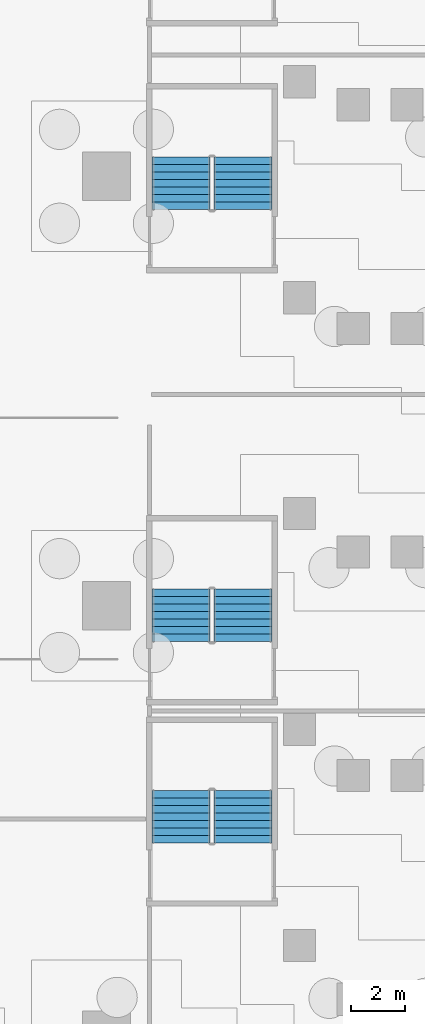
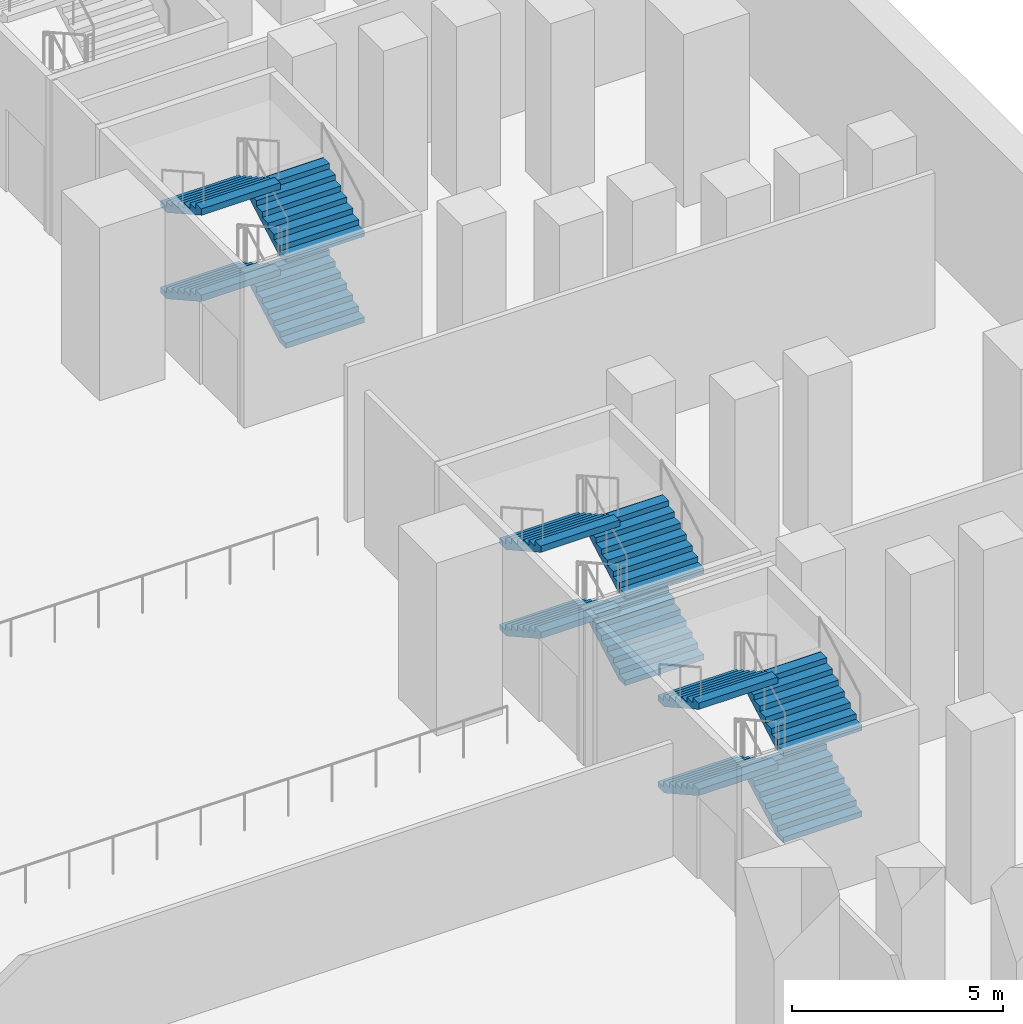
# One storey, part 16 of 27: 12 stair flights, 3 elements without a shape of their own.
"""IFC4 building model written with IfcOpenShell, lengths in metres."""

from ifc_helpers import new_model, si_unit, direction, frame, origin, place, context, subcontext, project, spatial, faceted_brep, source, transform, mapped, material, type_object, element, aggregate, save


model = new_model("IFC4")

# Units and contexts
model_context = context("Model", 3, precision=1e-05, world=origin(), true_north=direction((0.0, 1.0)))
body_context = subcontext(model_context, "Body", "Model", "MODEL_VIEW")
ifc_project = project(units=[si_unit("LENGTHUNIT", "METRE"), si_unit("AREAUNIT", "SQUARE_METRE"), si_unit("VOLUMEUNIT", "CUBIC_METRE"), si_unit("PLANEANGLEUNIT", "RADIAN"), si_unit("MASSUNIT", "GRAM", prefix="KILO")], contexts=[model_context])

# Site, building, storey
site_placement = place(None, origin())
site = spatial("IfcSite", under=ifc_project, at=site_placement, CompositionType="ELEMENT")
building_placement = place(site_placement, origin())
building = spatial("IfcBuilding", under=site, at=building_placement, Name="Calabash Gate Tower", CompositionType="ELEMENT")
storey_placement = place(building_placement, frame((0.0, 0.0, -10.0)))
storey = spatial("IfcBuildingStorey", under=building, at=storey_placement, Name="B2", CompositionType="ELEMENT", Elevation=-10.0)

# Stair, stair flights
ifc_material_1 = material(Name="Concrete C40/50", Category="concrete")
stair_type = type_object("IfcStairType", Name="Public stair 32 risers of 156.2 mm", PredefinedType="HALF_TURN_STAIR", material=ifc_material_1)
stair_1_placement = place(storey_placement, origin())
stair_1 = element("IfcStair", 1, at=stair_1_placement, inside=storey, type_object=stair_type, Name="B2 Public Stair PS6", PredefinedType="HALF_TURN_STAIR")
ifc_material_2 = material(Name="Concrete C40/50", Category="concrete")
stair_flight_type = type_object("IfcStairFlightType", Name="Exit stair flight SFL", PredefinedType="STRAIGHT", material=ifc_material_2)
shared_shape = source(origin(), body_context, "Body", "Brep", [
    faceted_brep([(-0.0009765625, -1.080078125, 0.0), (0.306884765625, -1.080078125, 0.0), (1.9541015625, -1.080078125, 0.921875), (-0.0009765625, 1.080078125, 0.0), (1.9541015625, 1.080078125, 0.921875), (0.306884765625, 1.080078125, 0.0), (1.9541015625, -1.080078125, 1.105712890625), (1.952880859375, -1.080078125, 1.105712890625), (1.952880859375, 1.080078125, 1.105712890625), (1.9541015625, 1.080078125, 1.105712890625), (1.952880859375, -1.080078125, 1.09375), (1.952880859375, 1.080078125, 1.09375), (1.674072265625, -1.080078125, 1.09375), (1.674072265625, 1.080078125, 1.09375), (1.674072265625, -1.080078125, 0.9375), (1.674072265625, 1.080078125, 0.9375), (1.39501953125, -1.080078125, 0.9375), (1.39501953125, 1.080078125, 0.9375), (1.39501953125, -1.080078125, 0.78125), (1.39501953125, 1.080078125, 0.78125), (1.115966796875, -1.080078125, 0.78125), (1.115966796875, -1.080078125, 0.625), (1.115966796875, 1.080078125, 0.625), (1.115966796875, 1.080078125, 0.78125), (0.8369140625, -1.080078125, 0.625), (0.8369140625, -1.080078125, 0.46875), (0.8369140625, 1.080078125, 0.46875), (0.8369140625, 1.080078125, 0.625), (0.55810546875, -1.080078125, 0.46875), (0.55810546875, -1.080078125, 0.3125), (0.55810546875, 1.080078125, 0.3125), (0.55810546875, 1.080078125, 0.46875), (0.279052734375, -1.080078125, 0.3125), (0.279052734375, -1.080078125, 0.15625), (0.279052734375, 1.080078125, 0.15625), (0.279052734375, 1.080078125, 0.3125), (-0.0009765625, -1.080078125, 0.15625), (-0.0009765625, 1.080078125, 0.15625), (0.306884765625, -0.431884765625, 0.0), (1.9541015625, -0.431884765625, 0.921875), (0.306884765625, -0.370361328125, 0.0), (1.9541015625, -0.370361328125, 0.921875), (0.306884765625, -0.30859375, 0.0), (1.9541015625, -0.30859375, 0.921875), (0.306884765625, -0.246826171875, 0.0), (1.9541015625, -0.246826171875, 0.921875), (0.306884765625, -0.18505859375, 0.0), (1.9541015625, -0.18505859375, 0.921875), (0.306884765625, -0.12353515625, 0.0), (1.9541015625, -0.12353515625, 0.921875), (0.306884765625, -0.061767578125, 0.0), (1.9541015625, -0.061767578125, 0.921875), (0.306884765625, 0.0, 0.0), (1.9541015625, 0.0, 0.921875), (0.306884765625, 0.061767578125, 0.0), (1.9541015625, 0.061767578125, 0.921875), (0.306884765625, 0.12353515625, 0.0), (1.9541015625, 0.12353515625, 0.921875), (0.306884765625, 0.18505859375, 0.0), (1.9541015625, 0.18505859375, 0.921875), (0.306884765625, 0.246826171875, 0.0), (1.9541015625, 0.246826171875, 0.921875), (0.306884765625, 0.30859375, 0.0), (1.9541015625, 0.30859375, 0.921875), (0.306884765625, 0.370361328125, 0.0), (1.9541015625, 0.370361328125, 0.921875), (0.306884765625, 0.431884765625, 0.0), (1.9541015625, 0.431884765625, 0.921875), (1.9541015625, -0.431884765625, 1.105712890625), (1.9541015625, -0.370361328125, 1.105712890625), (1.9541015625, -0.30859375, 1.105712890625), (1.9541015625, -0.246826171875, 1.105712890625), (1.9541015625, -0.18505859375, 1.105712890625), (1.9541015625, -0.12353515625, 1.105712890625), (1.9541015625, -0.061767578125, 1.105712890625), (1.9541015625, 0.0, 1.105712890625), (1.9541015625, 0.061767578125, 1.105712890625), (1.9541015625, 0.12353515625, 1.105712890625), (1.9541015625, 0.18505859375, 1.105712890625), (1.9541015625, 0.246826171875, 1.105712890625), (1.9541015625, 0.30859375, 1.105712890625), (1.9541015625, 0.370361328125, 1.105712890625), (1.9541015625, 0.431884765625, 1.105712890625), (1.952880859375, -0.431884765625, 1.105712890625), (1.952880859375, -0.370361328125, 1.105712890625), (1.952880859375, -0.30859375, 1.105712890625), (1.952880859375, -0.246826171875, 1.105712890625), (1.952880859375, -0.18505859375, 1.105712890625), (1.952880859375, -0.12353515625, 1.105712890625), (1.952880859375, -0.061767578125, 1.105712890625), (1.952880859375, 0.0, 1.105712890625), (1.952880859375, 0.061767578125, 1.105712890625), (1.952880859375, 0.12353515625, 1.105712890625), (1.952880859375, 0.18505859375, 1.105712890625), (1.952880859375, 0.246826171875, 1.105712890625), (1.952880859375, 0.30859375, 1.105712890625), (1.952880859375, 0.370361328125, 1.105712890625), (1.952880859375, 0.431884765625, 1.105712890625), (1.952880859375, -0.431884765625, 1.09375), (1.952880859375, -0.370361328125, 1.09375), (1.952880859375, -0.30859375, 1.09375), (1.952880859375, -0.246826171875, 1.09375), (1.952880859375, -0.18505859375, 1.09375), (1.952880859375, -0.12353515625, 1.09375), (1.952880859375, -0.061767578125, 1.09375), (1.952880859375, 0.0, 1.09375), (1.952880859375, 0.061767578125, 1.09375), (1.952880859375, 0.12353515625, 1.09375), (1.952880859375, 0.18505859375, 1.09375), (1.952880859375, 0.246826171875, 1.09375), (1.952880859375, 0.30859375, 1.09375), (1.952880859375, 0.370361328125, 1.09375), (1.952880859375, 0.431884765625, 1.09375), (1.674072265625, -0.431884765625, 1.09375), (1.674072265625, -0.370361328125, 1.09375), (1.674072265625, -0.30859375, 1.09375), (1.674072265625, -0.246826171875, 1.09375), (1.674072265625, -0.18505859375, 1.09375), (1.674072265625, -0.12353515625, 1.09375), (1.674072265625, -0.061767578125, 1.09375), (1.674072265625, 0.0, 1.09375), (1.674072265625, 0.061767578125, 1.09375), (1.674072265625, 0.12353515625, 1.09375), (1.674072265625, 0.18505859375, 1.09375), (1.674072265625, 0.246826171875, 1.09375), (1.674072265625, 0.30859375, 1.09375), (1.674072265625, 0.370361328125, 1.09375), (1.674072265625, 0.431884765625, 1.09375), (1.674072265625, -0.431884765625, 0.9375), (1.674072265625, -0.370361328125, 0.9375), (1.674072265625, -0.30859375, 0.9375), (1.674072265625, -0.246826171875, 0.9375), (1.674072265625, -0.18505859375, 0.9375), (1.674072265625, -0.12353515625, 0.9375), (1.674072265625, -0.061767578125, 0.9375), (1.674072265625, 0.0, 0.9375), (1.674072265625, 0.061767578125, 0.9375), (1.674072265625, 0.12353515625, 0.9375), (1.674072265625, 0.18505859375, 0.9375), (1.674072265625, 0.246826171875, 0.9375), (1.674072265625, 0.30859375, 0.9375), (1.674072265625, 0.370361328125, 0.9375), (1.674072265625, 0.431884765625, 0.9375), (1.39501953125, -0.431884765625, 0.9375), (1.39501953125, -0.370361328125, 0.9375), (1.39501953125, -0.30859375, 0.9375), (1.39501953125, -0.246826171875, 0.9375), (1.39501953125, -0.18505859375, 0.9375), (1.39501953125, -0.12353515625, 0.9375), (1.39501953125, -0.061767578125, 0.9375), (1.39501953125, 0.0, 0.9375), (1.39501953125, 0.061767578125, 0.9375), (1.39501953125, 0.12353515625, 0.9375), (1.39501953125, 0.18505859375, 0.9375), (1.39501953125, 0.246826171875, 0.9375), (1.39501953125, 0.30859375, 0.9375), (1.39501953125, 0.370361328125, 0.9375), (1.39501953125, 0.431884765625, 0.9375), (1.39501953125, -0.431884765625, 0.78125), (1.39501953125, -0.370361328125, 0.78125), (1.39501953125, -0.30859375, 0.78125), (1.39501953125, -0.246826171875, 0.78125), (1.39501953125, -0.18505859375, 0.78125), (1.39501953125, -0.12353515625, 0.78125), (1.39501953125, -0.061767578125, 0.78125), (1.39501953125, 0.0, 0.78125), (1.39501953125, 0.061767578125, 0.78125), (1.39501953125, 0.12353515625, 0.78125), (1.39501953125, 0.18505859375, 0.78125), (1.39501953125, 0.246826171875, 0.78125), (1.39501953125, 0.30859375, 0.78125), (1.39501953125, 0.370361328125, 0.78125), (1.39501953125, 0.431884765625, 0.78125), (1.115966796875, -0.431884765625, 0.78125), (1.115966796875, -0.370361328125, 0.78125), (1.115966796875, -0.30859375, 0.78125), (1.115966796875, -0.246826171875, 0.78125), (1.115966796875, -0.18505859375, 0.78125), (1.115966796875, -0.12353515625, 0.78125), (1.115966796875, -0.061767578125, 0.78125), (1.115966796875, 0.0, 0.78125), (1.115966796875, 0.061767578125, 0.78125), (1.115966796875, 0.12353515625, 0.78125), (1.115966796875, 0.18505859375, 0.78125), (1.115966796875, 0.246826171875, 0.78125), (1.115966796875, 0.30859375, 0.78125), (1.115966796875, 0.370361328125, 0.78125), (1.115966796875, 0.431884765625, 0.78125), (1.115966796875, -0.431884765625, 0.625), (1.115966796875, -0.370361328125, 0.625), (1.115966796875, -0.30859375, 0.625), (1.115966796875, -0.246826171875, 0.625), (1.115966796875, -0.18505859375, 0.625), (1.115966796875, -0.12353515625, 0.625), (1.115966796875, -0.061767578125, 0.625), (1.115966796875, 0.0, 0.625), (1.115966796875, 0.061767578125, 0.625), (1.115966796875, 0.12353515625, 0.625), (1.115966796875, 0.18505859375, 0.625), (1.115966796875, 0.246826171875, 0.625), (1.115966796875, 0.30859375, 0.625), (1.115966796875, 0.370361328125, 0.625), (1.115966796875, 0.431884765625, 0.625), (0.8369140625, -0.431884765625, 0.625), (0.8369140625, -0.370361328125, 0.625), (0.8369140625, -0.30859375, 0.625), (0.8369140625, -0.246826171875, 0.625), (0.8369140625, -0.18505859375, 0.625), (0.8369140625, -0.12353515625, 0.625), (0.8369140625, -0.061767578125, 0.625), (0.8369140625, 0.0, 0.625), (0.8369140625, 0.061767578125, 0.625), (0.8369140625, 0.12353515625, 0.625), (0.8369140625, 0.18505859375, 0.625), (0.8369140625, 0.246826171875, 0.625), (0.8369140625, 0.30859375, 0.625), (0.8369140625, 0.370361328125, 0.625), (0.8369140625, 0.431884765625, 0.625), (0.8369140625, -0.431884765625, 0.46875), (0.8369140625, -0.370361328125, 0.46875), (0.8369140625, -0.30859375, 0.46875), (0.8369140625, -0.246826171875, 0.46875), (0.8369140625, -0.18505859375, 0.46875), (0.8369140625, -0.12353515625, 0.46875), (0.8369140625, -0.061767578125, 0.46875), (0.8369140625, 0.0, 0.46875), (0.8369140625, 0.061767578125, 0.46875), (0.8369140625, 0.12353515625, 0.46875), (0.8369140625, 0.18505859375, 0.46875), (0.8369140625, 0.246826171875, 0.46875), (0.8369140625, 0.30859375, 0.46875), (0.8369140625, 0.370361328125, 0.46875), (0.8369140625, 0.431884765625, 0.46875), (0.55810546875, -0.431884765625, 0.46875), (0.55810546875, -0.370361328125, 0.46875), (0.55810546875, -0.30859375, 0.46875), (0.55810546875, -0.246826171875, 0.46875), (0.55810546875, -0.18505859375, 0.46875), (0.55810546875, -0.12353515625, 0.46875), (0.55810546875, -0.061767578125, 0.46875), (0.55810546875, 0.0, 0.46875), (0.55810546875, 0.061767578125, 0.46875), (0.55810546875, 0.12353515625, 0.46875), (0.55810546875, 0.18505859375, 0.46875), (0.55810546875, 0.246826171875, 0.46875), (0.55810546875, 0.30859375, 0.46875), (0.55810546875, 0.370361328125, 0.46875), (0.55810546875, 0.431884765625, 0.46875), (0.55810546875, -0.431884765625, 0.3125), (0.55810546875, -0.370361328125, 0.3125), (0.55810546875, -0.30859375, 0.3125), (0.55810546875, -0.246826171875, 0.3125), (0.55810546875, -0.18505859375, 0.3125), (0.55810546875, -0.12353515625, 0.3125), (0.55810546875, -0.061767578125, 0.3125), (0.55810546875, 0.0, 0.3125), (0.55810546875, 0.061767578125, 0.3125), (0.55810546875, 0.12353515625, 0.3125), (0.55810546875, 0.18505859375, 0.3125), (0.55810546875, 0.246826171875, 0.3125), (0.55810546875, 0.30859375, 0.3125), (0.55810546875, 0.370361328125, 0.3125), (0.55810546875, 0.431884765625, 0.3125), (0.279052734375, -0.431884765625, 0.3125), (0.279052734375, -0.370361328125, 0.3125), (0.279052734375, -0.30859375, 0.3125), (0.279052734375, -0.246826171875, 0.3125), (0.279052734375, -0.18505859375, 0.3125), (0.279052734375, -0.12353515625, 0.3125), (0.279052734375, -0.061767578125, 0.3125), (0.279052734375, 0.0, 0.3125), (0.279052734375, 0.061767578125, 0.3125), (0.279052734375, 0.12353515625, 0.3125), (0.279052734375, 0.18505859375, 0.3125), (0.279052734375, 0.246826171875, 0.3125), (0.279052734375, 0.30859375, 0.3125), (0.279052734375, 0.370361328125, 0.3125), (0.279052734375, 0.431884765625, 0.3125), (0.279052734375, -0.431884765625, 0.15625), (0.279052734375, -0.370361328125, 0.15625), (0.279052734375, -0.30859375, 0.15625), (0.279052734375, -0.246826171875, 0.15625), (0.279052734375, -0.18505859375, 0.15625), (0.279052734375, -0.12353515625, 0.15625), (0.279052734375, -0.061767578125, 0.15625), (0.279052734375, 0.0, 0.15625), (0.279052734375, 0.061767578125, 0.15625), (0.279052734375, 0.12353515625, 0.15625), (0.279052734375, 0.18505859375, 0.15625), (0.279052734375, 0.246826171875, 0.15625), (0.279052734375, 0.30859375, 0.15625), (0.279052734375, 0.370361328125, 0.15625), (0.279052734375, 0.431884765625, 0.15625), (-0.0009765625, -0.431884765625, 0.15625), (-0.0009765625, -0.370361328125, 0.15625), (-0.0009765625, -0.30859375, 0.15625), (-0.0009765625, -0.246826171875, 0.15625), (-0.0009765625, -0.18505859375, 0.15625), (-0.0009765625, -0.12353515625, 0.15625), (-0.0009765625, -0.061767578125, 0.15625), (-0.0009765625, 0.0, 0.15625), (-0.0009765625, 0.061767578125, 0.15625), (-0.0009765625, 0.12353515625, 0.15625), (-0.0009765625, 0.18505859375, 0.15625), (-0.0009765625, 0.246826171875, 0.15625), (-0.0009765625, 0.30859375, 0.15625), (-0.0009765625, 0.370361328125, 0.15625), (-0.0009765625, 0.431884765625, 0.15625), (-0.0009765625, -0.431884765625, 0.0), (-0.0009765625, -0.370361328125, 0.0), (-0.0009765625, -0.30859375, 0.0), (-0.0009765625, -0.246826171875, 0.0), (-0.0009765625, -0.18505859375, 0.0), (-0.0009765625, -0.12353515625, 0.0), (-0.0009765625, -0.061767578125, 0.0), (-0.0009765625, 0.0, 0.0), (-0.0009765625, 0.061767578125, 0.0), (-0.0009765625, 0.12353515625, 0.0), (-0.0009765625, 0.18505859375, 0.0), (-0.0009765625, 0.246826171875, 0.0), (-0.0009765625, 0.30859375, 0.0), (-0.0009765625, 0.370361328125, 0.0), (-0.0009765625, 0.431884765625, 0.0)], [[[0, 1, 2]], [[3, 4, 5]], [[2, 6, 7]], [[4, 8, 9]], [[2, 7, 10]], [[4, 11, 8]], [[2, 10, 12]], [[4, 13, 11]], [[2, 12, 14]], [[4, 15, 13]], [[2, 14, 16]], [[4, 17, 15]], [[2, 16, 18]], [[4, 19, 17]], [[18, 20, 21]], [[19, 22, 23]], [[2, 18, 21]], [[4, 22, 19]], [[21, 24, 25]], [[22, 26, 27]], [[2, 21, 25]], [[4, 26, 22]], [[25, 28, 29]], [[26, 30, 31]], [[2, 25, 29]], [[4, 30, 26]], [[29, 32, 33]], [[30, 34, 35]], [[2, 29, 33]], [[4, 34, 30]], [[0, 2, 33]], [[3, 34, 4]], [[33, 36, 0]], [[34, 3, 37]], [[1, 38, 2]], [[38, 39, 2]], [[38, 40, 39]], [[40, 41, 39]], [[40, 42, 41]], [[42, 43, 41]], [[42, 44, 43]], [[44, 45, 43]], [[44, 46, 45]], [[46, 47, 45]], [[46, 48, 47]], [[48, 49, 47]], [[48, 50, 49]], [[50, 51, 49]], [[50, 52, 51]], [[52, 53, 51]], [[52, 54, 55]], [[52, 55, 53]], [[54, 56, 57]], [[54, 57, 55]], [[56, 58, 59]], [[56, 59, 57]], [[58, 60, 61]], [[58, 61, 59]], [[60, 62, 63]], [[60, 63, 61]], [[62, 64, 65]], [[62, 65, 63]], [[64, 66, 67]], [[64, 67, 65]], [[66, 5, 4]], [[66, 4, 67]], [[2, 39, 6]], [[39, 68, 6]], [[39, 41, 68]], [[41, 69, 68]], [[41, 43, 69]], [[43, 70, 69]], [[43, 45, 70]], [[45, 71, 70]], [[45, 47, 71]], [[47, 72, 71]], [[47, 49, 72]], [[49, 73, 72]], [[49, 51, 73]], [[51, 74, 73]], [[51, 53, 74]], [[53, 75, 74]], [[53, 55, 76]], [[53, 76, 75]], [[55, 57, 77]], [[55, 77, 76]], [[57, 59, 78]], [[57, 78, 77]], [[59, 61, 79]], [[59, 79, 78]], [[61, 63, 80]], [[61, 80, 79]], [[63, 65, 81]], [[63, 81, 80]], [[65, 67, 82]], [[65, 82, 81]], [[67, 4, 9]], [[67, 9, 82]], [[6, 68, 7]], [[68, 83, 7]], [[68, 69, 83]], [[69, 84, 83]], [[69, 70, 84]], [[70, 85, 84]], [[70, 71, 85]], [[71, 86, 85]], [[71, 72, 86]], [[72, 87, 86]], [[72, 73, 87]], [[73, 88, 87]], [[73, 74, 88]], [[74, 89, 88]], [[74, 75, 89]], [[75, 90, 89]], [[75, 76, 91]], [[75, 91, 90]], [[76, 77, 92]], [[76, 92, 91]], [[77, 78, 93]], [[77, 93, 92]], [[78, 79, 94]], [[78, 94, 93]], [[79, 80, 95]], [[79, 95, 94]], [[80, 81, 96]], [[80, 96, 95]], [[81, 82, 97]], [[81, 97, 96]], [[82, 9, 8]], [[82, 8, 97]], [[7, 83, 10]], [[83, 98, 10]], [[83, 84, 98]], [[84, 99, 98]], [[84, 85, 99]], [[85, 100, 99]], [[85, 86, 100]], [[86, 101, 100]], [[86, 87, 101]], [[87, 102, 101]], [[87, 88, 102]], [[88, 103, 102]], [[88, 89, 103]], [[89, 104, 103]], [[89, 90, 104]], [[90, 105, 104]], [[90, 91, 106]], [[90, 106, 105]], [[91, 92, 107]], [[91, 107, 106]], [[92, 93, 108]], [[92, 108, 107]], [[93, 94, 109]], [[93, 109, 108]], [[94, 95, 110]], [[94, 110, 109]], [[95, 96, 111]], [[95, 111, 110]], [[96, 97, 112]], [[96, 112, 111]], [[97, 8, 11]], [[97, 11, 112]], [[10, 98, 12]], [[98, 113, 12]], [[98, 99, 113]], [[99, 114, 113]], [[99, 100, 114]], [[100, 115, 114]], [[100, 101, 115]], [[101, 116, 115]], [[101, 102, 116]], [[102, 117, 116]], [[102, 103, 117]], [[103, 118, 117]], [[103, 104, 118]], [[104, 119, 118]], [[104, 105, 119]], [[105, 120, 119]], [[105, 106, 121]], [[105, 121, 120]], [[106, 107, 122]], [[106, 122, 121]], [[107, 108, 123]], [[107, 123, 122]], [[108, 109, 124]], [[108, 124, 123]], [[109, 110, 125]], [[109, 125, 124]], [[110, 111, 126]], [[110, 126, 125]], [[111, 112, 127]], [[111, 127, 126]], [[112, 11, 13]], [[112, 13, 127]], [[12, 113, 14]], [[113, 128, 14]], [[113, 114, 128]], [[114, 129, 128]], [[114, 115, 129]], [[115, 130, 129]], [[115, 116, 130]], [[116, 131, 130]], [[116, 117, 131]], [[117, 132, 131]], [[117, 118, 132]], [[118, 133, 132]], [[118, 119, 133]], [[119, 134, 133]], [[119, 120, 134]], [[120, 135, 134]], [[120, 121, 136]], [[120, 136, 135]], [[121, 122, 137]], [[121, 137, 136]], [[122, 123, 138]], [[122, 138, 137]], [[123, 124, 139]], [[123, 139, 138]], [[124, 125, 140]], [[124, 140, 139]], [[125, 126, 141]], [[125, 141, 140]], [[126, 127, 142]], [[126, 142, 141]], [[127, 13, 15]], [[127, 15, 142]], [[14, 128, 16]], [[128, 143, 16]], [[128, 129, 143]], [[129, 144, 143]], [[129, 130, 144]], [[130, 145, 144]], [[130, 131, 145]], [[131, 146, 145]], [[131, 132, 146]], [[132, 147, 146]], [[132, 133, 147]], [[133, 148, 147]], [[133, 134, 148]], [[134, 149, 148]], [[134, 135, 149]], [[135, 150, 149]], [[135, 136, 151]], [[135, 151, 150]], [[136, 137, 152]], [[136, 152, 151]], [[137, 138, 153]], [[137, 153, 152]], [[138, 139, 154]], [[138, 154, 153]], [[139, 140, 155]], [[139, 155, 154]], [[140, 141, 156]], [[140, 156, 155]], [[141, 142, 157]], [[141, 157, 156]], [[142, 15, 17]], [[142, 17, 157]], [[16, 143, 18]], [[143, 158, 18]], [[143, 144, 158]], [[144, 159, 158]], [[144, 145, 159]], [[145, 160, 159]], [[145, 146, 160]], [[146, 161, 160]], [[146, 147, 161]], [[147, 162, 161]], [[147, 148, 162]], [[148, 163, 162]], [[148, 149, 163]], [[149, 164, 163]], [[149, 150, 164]], [[150, 165, 164]], [[150, 151, 166]], [[150, 166, 165]], [[151, 152, 167]], [[151, 167, 166]], [[152, 153, 168]], [[152, 168, 167]], [[153, 154, 169]], [[153, 169, 168]], [[154, 155, 170]], [[154, 170, 169]], [[155, 156, 171]], [[155, 171, 170]], [[156, 157, 172]], [[156, 172, 171]], [[157, 17, 19]], [[157, 19, 172]], [[18, 158, 20]], [[158, 173, 20]], [[158, 159, 173]], [[159, 174, 173]], [[159, 160, 174]], [[160, 175, 174]], [[160, 161, 175]], [[161, 176, 175]], [[161, 162, 176]], [[162, 177, 176]], [[162, 163, 177]], [[163, 178, 177]], [[163, 164, 178]], [[164, 179, 178]], [[164, 165, 179]], [[165, 180, 179]], [[165, 166, 181]], [[165, 181, 180]], [[166, 167, 182]], [[166, 182, 181]], [[167, 168, 183]], [[167, 183, 182]], [[168, 169, 184]], [[168, 184, 183]], [[169, 170, 185]], [[169, 185, 184]], [[170, 171, 186]], [[170, 186, 185]], [[171, 172, 187]], [[171, 187, 186]], [[172, 19, 23]], [[172, 23, 187]], [[20, 173, 21]], [[173, 188, 21]], [[173, 174, 188]], [[174, 189, 188]], [[174, 175, 189]], [[175, 190, 189]], [[175, 176, 190]], [[176, 191, 190]], [[176, 177, 191]], [[177, 192, 191]], [[177, 178, 192]], [[178, 193, 192]], [[178, 179, 193]], [[179, 194, 193]], [[179, 180, 194]], [[180, 195, 194]], [[180, 181, 196]], [[180, 196, 195]], [[181, 182, 197]], [[181, 197, 196]], [[182, 183, 198]], [[182, 198, 197]], [[183, 184, 199]], [[183, 199, 198]], [[184, 185, 200]], [[184, 200, 199]], [[185, 186, 201]], [[185, 201, 200]], [[186, 187, 202]], [[186, 202, 201]], [[187, 23, 22]], [[187, 22, 202]], [[21, 188, 24]], [[188, 203, 24]], [[188, 189, 203]], [[189, 204, 203]], [[189, 190, 204]], [[190, 205, 204]], [[190, 191, 205]], [[191, 206, 205]], [[191, 192, 206]], [[192, 207, 206]], [[192, 193, 207]], [[193, 208, 207]], [[193, 194, 208]], [[194, 209, 208]], [[194, 195, 209]], [[195, 210, 209]], [[195, 196, 211]], [[195, 211, 210]], [[196, 197, 212]], [[196, 212, 211]], [[197, 198, 213]], [[197, 213, 212]], [[198, 199, 214]], [[198, 214, 213]], [[199, 200, 215]], [[199, 215, 214]], [[200, 201, 216]], [[200, 216, 215]], [[201, 202, 217]], [[201, 217, 216]], [[202, 22, 27]], [[202, 27, 217]], [[24, 203, 25]], [[203, 218, 25]], [[203, 204, 218]], [[204, 219, 218]], [[204, 205, 219]], [[205, 220, 219]], [[205, 206, 220]], [[206, 221, 220]], [[206, 207, 221]], [[207, 222, 221]], [[207, 208, 222]], [[208, 223, 222]], [[208, 209, 223]], [[209, 224, 223]], [[209, 210, 224]], [[210, 225, 224]], [[210, 211, 226]], [[210, 226, 225]], [[211, 212, 227]], [[211, 227, 226]], [[212, 213, 228]], [[212, 228, 227]], [[213, 214, 229]], [[213, 229, 228]], [[214, 215, 230]], [[214, 230, 229]], [[215, 216, 231]], [[215, 231, 230]], [[216, 217, 232]], [[216, 232, 231]], [[217, 27, 26]], [[217, 26, 232]], [[25, 218, 28]], [[218, 233, 28]], [[218, 219, 233]], [[219, 234, 233]], [[219, 220, 234]], [[220, 235, 234]], [[220, 221, 235]], [[221, 236, 235]], [[221, 222, 236]], [[222, 237, 236]], [[222, 223, 237]], [[223, 238, 237]], [[223, 224, 238]], [[224, 239, 238]], [[224, 225, 239]], [[225, 240, 239]], [[225, 226, 241]], [[225, 241, 240]], [[226, 227, 242]], [[226, 242, 241]], [[227, 228, 243]], [[227, 243, 242]], [[228, 229, 244]], [[228, 244, 243]], [[229, 230, 245]], [[229, 245, 244]], [[230, 231, 246]], [[230, 246, 245]], [[231, 232, 247]], [[231, 247, 246]], [[232, 26, 31]], [[232, 31, 247]], [[28, 233, 29]], [[233, 248, 29]], [[233, 234, 248]], [[234, 249, 248]], [[234, 235, 249]], [[235, 250, 249]], [[235, 236, 250]], [[236, 251, 250]], [[236, 237, 251]], [[237, 252, 251]], [[237, 238, 252]], [[238, 253, 252]], [[238, 239, 253]], [[239, 254, 253]], [[239, 240, 254]], [[240, 255, 254]], [[240, 241, 256]], [[240, 256, 255]], [[241, 242, 257]], [[241, 257, 256]], [[242, 243, 258]], [[242, 258, 257]], [[243, 244, 259]], [[243, 259, 258]], [[244, 245, 260]], [[244, 260, 259]], [[245, 246, 261]], [[245, 261, 260]], [[246, 247, 262]], [[246, 262, 261]], [[247, 31, 30]], [[247, 30, 262]], [[29, 248, 32]], [[248, 263, 32]], [[248, 249, 263]], [[249, 264, 263]], [[249, 250, 264]], [[250, 265, 264]], [[250, 251, 265]], [[251, 266, 265]], [[251, 252, 266]], [[252, 267, 266]], [[252, 253, 267]], [[253, 268, 267]], [[253, 254, 268]], [[254, 269, 268]], [[254, 255, 269]], [[255, 270, 269]], [[255, 256, 271]], [[255, 271, 270]], [[256, 257, 272]], [[256, 272, 271]], [[257, 258, 273]], [[257, 273, 272]], [[258, 259, 274]], [[258, 274, 273]], [[259, 260, 275]], [[259, 275, 274]], [[260, 261, 276]], [[260, 276, 275]], [[261, 262, 277]], [[261, 277, 276]], [[262, 30, 35]], [[262, 35, 277]], [[32, 263, 33]], [[263, 278, 33]], [[263, 264, 278]], [[264, 279, 278]], [[264, 265, 279]], [[265, 280, 279]], [[265, 266, 280]], [[266, 281, 280]], [[266, 267, 281]], [[267, 282, 281]], [[267, 268, 282]], [[268, 283, 282]], [[268, 269, 283]], [[269, 284, 283]], [[269, 270, 284]], [[270, 285, 284]], [[270, 271, 286]], [[270, 286, 285]], [[271, 272, 287]], [[271, 287, 286]], [[272, 273, 288]], [[272, 288, 287]], [[273, 274, 289]], [[273, 289, 288]], [[274, 275, 290]], [[274, 290, 289]], [[275, 276, 291]], [[275, 291, 290]], [[276, 277, 292]], [[276, 292, 291]], [[277, 35, 34]], [[277, 34, 292]], [[33, 278, 36]], [[278, 293, 36]], [[278, 279, 293]], [[279, 294, 293]], [[279, 280, 294]], [[280, 295, 294]], [[280, 281, 295]], [[281, 296, 295]], [[281, 282, 296]], [[282, 297, 296]], [[282, 283, 297]], [[283, 298, 297]], [[283, 284, 298]], [[284, 299, 298]], [[284, 285, 299]], [[285, 300, 299]], [[285, 286, 301]], [[285, 301, 300]], [[286, 287, 302]], [[286, 302, 301]], [[287, 288, 303]], [[287, 303, 302]], [[288, 289, 304]], [[288, 304, 303]], [[289, 290, 305]], [[289, 305, 304]], [[290, 291, 306]], [[290, 306, 305]], [[291, 292, 307]], [[291, 307, 306]], [[292, 34, 37]], [[292, 37, 307]], [[36, 293, 0]], [[293, 308, 0]], [[293, 294, 308]], [[294, 309, 308]], [[294, 295, 309]], [[295, 310, 309]], [[295, 296, 310]], [[296, 311, 310]], [[296, 297, 311]], [[297, 312, 311]], [[297, 298, 312]], [[298, 313, 312]], [[298, 299, 313]], [[299, 314, 313]], [[299, 300, 314]], [[300, 315, 314]], [[300, 301, 316]], [[300, 316, 315]], [[301, 302, 317]], [[301, 317, 316]], [[302, 303, 318]], [[302, 318, 317]], [[303, 304, 319]], [[303, 319, 318]], [[304, 305, 320]], [[304, 320, 319]], [[305, 306, 321]], [[305, 321, 320]], [[306, 307, 322]], [[306, 322, 321]], [[307, 37, 3]], [[307, 3, 322]], [[0, 308, 1]], [[308, 38, 1]], [[308, 309, 38]], [[309, 40, 38]], [[309, 310, 40]], [[310, 42, 40]], [[310, 311, 42]], [[311, 44, 42]], [[311, 312, 44]], [[312, 46, 44]], [[312, 313, 46]], [[313, 48, 46]], [[313, 314, 48]], [[314, 50, 48]], [[314, 315, 50]], [[315, 52, 50]], [[315, 316, 54]], [[315, 54, 52]], [[316, 317, 56]], [[316, 56, 54]], [[317, 318, 58]], [[317, 58, 56]], [[318, 319, 60]], [[318, 60, 58]], [[319, 320, 62]], [[319, 62, 60]], [[320, 321, 64]], [[320, 64, 62]], [[321, 322, 66]], [[321, 66, 64]], [[322, 3, 5]], [[322, 5, 66]]]),
])
stair_flight_1_placement = place(storey_placement, frame((37.090087890625, -32.840087890625, 0.0), z_axis=(0.0, 0.0, 1.0), x_axis=(0.0, 1.0, 0.0)))
stair_flight_1 = element("IfcStairFlight", 2, at=stair_flight_1_placement, type_object=stair_flight_type, Name="PS6 flight 1", NumberOfRisers=8, NumberOfTreads=7, PredefinedType="STRAIGHT", RiserHeight=0.15625, TreadLength=0.279, context=body_context, shape_type="MappedRepresentation", body=[
    mapped(shared_shape, transform((0.0, 0.0, 0.0), scale=1.0)),
])
stair_flight_2_placement = place(storey_placement, frame((34.780029296875, -30.886962890625, 1.25), z_axis=(0.0, 0.0, 1.0), x_axis=(0.0, -1.0, 0.0)))
stair_flight_2 = element("IfcStairFlight", 3, at=stair_flight_2_placement, type_object=stair_flight_type, Name="PS6 flight 2", NumberOfRisers=8, NumberOfTreads=7, PredefinedType="STRAIGHT", RiserHeight=0.15625, TreadLength=0.279, context=body_context, shape_type="MappedRepresentation", body=[
    mapped(shared_shape, transform((0.0, 0.0, 0.0), scale=1.0)),
])
stair_flight_3_placement = place(storey_placement, frame((37.090087890625, -32.840087890625, 2.5), z_axis=(0.0, 0.0, 1.0), x_axis=(0.0, 1.0, 0.0)))
stair_flight_3 = element("IfcStairFlight", 4, at=stair_flight_3_placement, type_object=stair_flight_type, Name="PS6 flight 3", NumberOfRisers=8, NumberOfTreads=7, PredefinedType="STRAIGHT", RiserHeight=0.15625, TreadLength=0.279, context=body_context, shape_type="MappedRepresentation", body=[
    mapped(shared_shape, transform((0.0, 0.0, 0.0), scale=1.0)),
])
stair_flight_4_placement = place(storey_placement, frame((34.780029296875, -30.886962890625, 3.75), z_axis=(0.0, 0.0, 1.0), x_axis=(0.0, -1.0, 0.0)))
stair_flight_4 = element("IfcStairFlight", 5, at=stair_flight_4_placement, type_object=stair_flight_type, Name="PS6 flight 4", NumberOfRisers=8, NumberOfTreads=7, PredefinedType="STRAIGHT", RiserHeight=0.15625, TreadLength=0.279, context=body_context, shape_type="MappedRepresentation", body=[
    mapped(shared_shape, transform((0.0, 0.0, 0.0), scale=1.0)),
])
aggregate(stair_1, [stair_flight_1, stair_flight_2, stair_flight_3, stair_flight_4])

stair_2_placement = place(storey_placement, origin())
stair_2 = element("IfcStair", 6, at=stair_2_placement, inside=storey, type_object=stair_type, Name="B2 Public Stair PS7", PredefinedType="HALF_TURN_STAIR")
stair_flight_5_placement = place(storey_placement, frame((37.090087890625, -25.340087890625, 0.0), z_axis=(0.0, 0.0, 1.0), x_axis=(0.0, 1.0, 0.0)))
stair_flight_5 = element("IfcStairFlight", 7, at=stair_flight_5_placement, type_object=stair_flight_type, Name="PS7 flight 1", NumberOfRisers=8, NumberOfTreads=7, PredefinedType="STRAIGHT", RiserHeight=0.15625, TreadLength=0.279, context=body_context, shape_type="MappedRepresentation", body=[
    mapped(shared_shape, transform((0.0, 0.0, 0.0), scale=1.0)),
])
stair_flight_6_placement = place(storey_placement, frame((34.780029296875, -23.386962890625, 1.25), z_axis=(0.0, 0.0, 1.0), x_axis=(0.0, -1.0, 0.0)))
stair_flight_6 = element("IfcStairFlight", 8, at=stair_flight_6_placement, type_object=stair_flight_type, Name="PS7 flight 2", NumberOfRisers=8, NumberOfTreads=7, PredefinedType="STRAIGHT", RiserHeight=0.15625, TreadLength=0.279, context=body_context, shape_type="MappedRepresentation", body=[
    mapped(shared_shape, transform((0.0, 0.0, 0.0), scale=1.0)),
])
stair_flight_7_placement = place(storey_placement, frame((37.090087890625, -25.340087890625, 2.5), z_axis=(0.0, 0.0, 1.0), x_axis=(0.0, 1.0, 0.0)))
stair_flight_7 = element("IfcStairFlight", 9, at=stair_flight_7_placement, type_object=stair_flight_type, Name="PS7 flight 3", NumberOfRisers=8, NumberOfTreads=7, PredefinedType="STRAIGHT", RiserHeight=0.15625, TreadLength=0.279, context=body_context, shape_type="MappedRepresentation", body=[
    mapped(shared_shape, transform((0.0, 0.0, 0.0), scale=1.0)),
])
stair_flight_8_placement = place(storey_placement, frame((34.780029296875, -23.386962890625, 3.75), z_axis=(0.0, 0.0, 1.0), x_axis=(0.0, -1.0, 0.0)))
stair_flight_8 = element("IfcStairFlight", 10, at=stair_flight_8_placement, type_object=stair_flight_type, Name="PS7 flight 4", NumberOfRisers=8, NumberOfTreads=7, PredefinedType="STRAIGHT", RiserHeight=0.15625, TreadLength=0.279, context=body_context, shape_type="MappedRepresentation", body=[
    mapped(shared_shape, transform((0.0, 0.0, 0.0), scale=1.0)),
])
aggregate(stair_2, [stair_flight_5, stair_flight_6, stair_flight_7, stair_flight_8])

stair_3_placement = place(storey_placement, origin())
stair_3 = element("IfcStair", 11, at=stair_3_placement, inside=storey, type_object=stair_type, Name="B2 Public Stair PS8", PredefinedType="HALF_TURN_STAIR")
stair_flight_9_placement = place(storey_placement, frame((37.090087890625, -9.239990234375, 0.0), z_axis=(0.0, 0.0, 1.0), x_axis=(0.0, 1.0, 0.0)))
stair_flight_9 = element("IfcStairFlight", 12, at=stair_flight_9_placement, type_object=stair_flight_type, Name="PS8 flight 1", NumberOfRisers=8, NumberOfTreads=7, PredefinedType="STRAIGHT", RiserHeight=0.15625, TreadLength=0.279, context=body_context, shape_type="MappedRepresentation", body=[
    mapped(shared_shape, transform((0.0, 0.0, 0.0), scale=1.0)),
])
stair_flight_10_placement = place(storey_placement, frame((34.780029296875, -7.287109375, 1.25), z_axis=(0.0, 0.0, 1.0), x_axis=(0.0, -1.0, 0.0)))
stair_flight_10 = element("IfcStairFlight", 13, at=stair_flight_10_placement, type_object=stair_flight_type, Name="PS8 flight 2", NumberOfRisers=8, NumberOfTreads=7, PredefinedType="STRAIGHT", RiserHeight=0.15625, TreadLength=0.279, context=body_context, shape_type="MappedRepresentation", body=[
    mapped(shared_shape, transform((0.0, 0.0, 0.0), scale=1.0)),
])
stair_flight_11_placement = place(storey_placement, frame((37.090087890625, -9.239990234375, 2.5), z_axis=(0.0, 0.0, 1.0), x_axis=(0.0, 1.0, 0.0)))
stair_flight_11 = element("IfcStairFlight", 14, at=stair_flight_11_placement, type_object=stair_flight_type, Name="PS8 flight 3", NumberOfRisers=8, NumberOfTreads=7, PredefinedType="STRAIGHT", RiserHeight=0.15625, TreadLength=0.279, context=body_context, shape_type="MappedRepresentation", body=[
    mapped(shared_shape, transform((0.0, 0.0, 0.0), scale=1.0)),
])
stair_flight_12_placement = place(storey_placement, frame((34.780029296875, -7.287109375, 3.75), z_axis=(0.0, 0.0, 1.0), x_axis=(0.0, -1.0, 0.0)))
stair_flight_12 = element("IfcStairFlight", 15, at=stair_flight_12_placement, type_object=stair_flight_type, Name="PS8 flight 4", NumberOfRisers=8, NumberOfTreads=7, PredefinedType="STRAIGHT", RiserHeight=0.15625, TreadLength=0.279, context=body_context, shape_type="MappedRepresentation", body=[
    mapped(shared_shape, transform((0.0, 0.0, 0.0), scale=1.0)),
])
aggregate(stair_3, [stair_flight_9, stair_flight_10, stair_flight_11, stair_flight_12])

save(model, "model.ifc")
